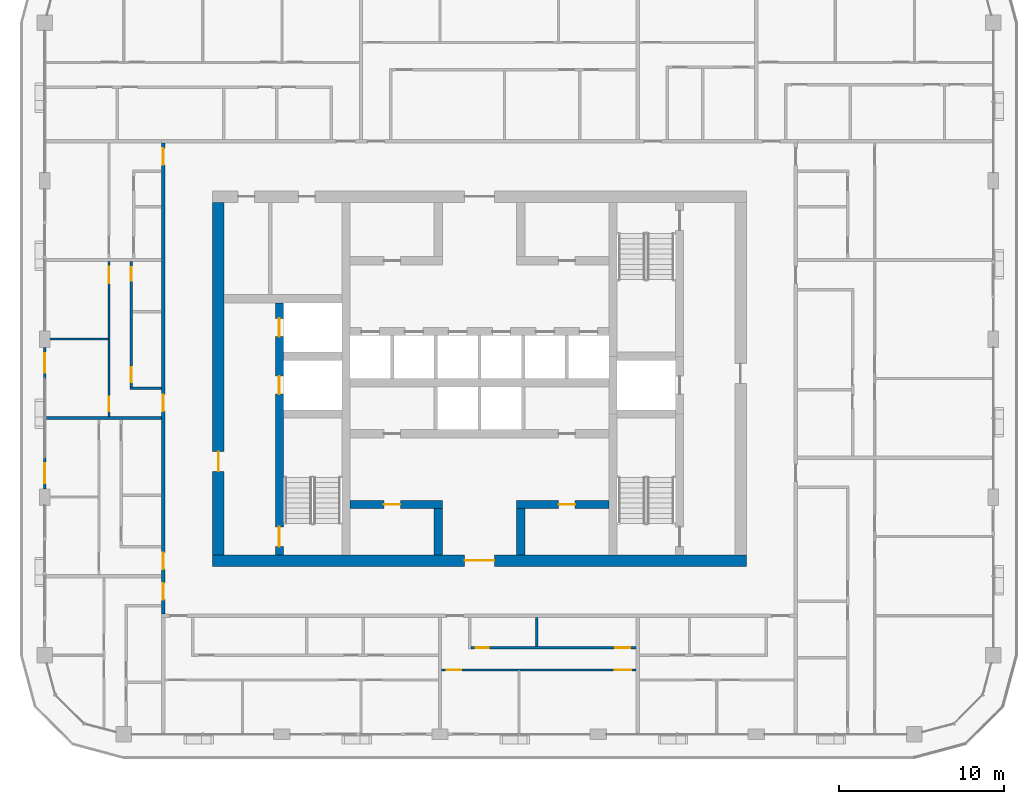
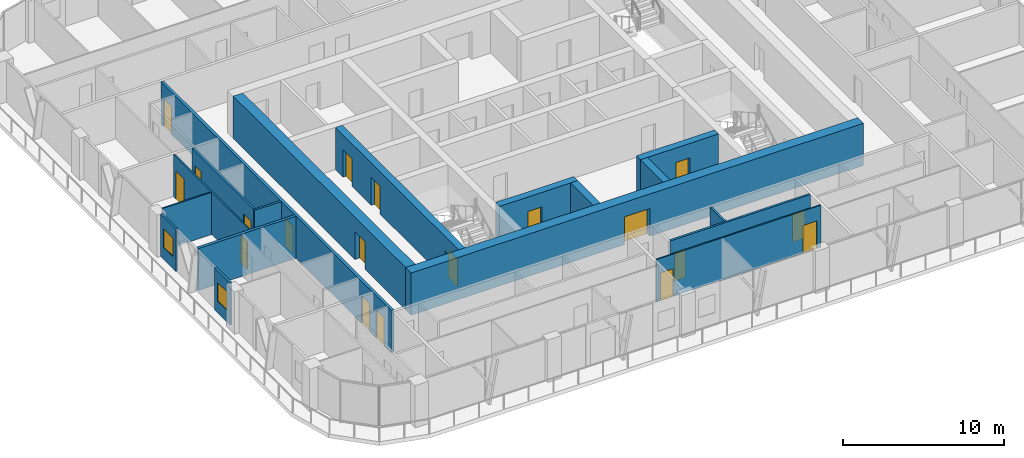
# One storey, part 10 of 22: 19 doors, 18 walls, 2 windows, 21 openings.
"""IFC4 building model written with IfcOpenShell, lengths in metres."""

from ifc_helpers import new_model, si_unit, direction, frame, frame_2d, origin, place, context, subcontext, project, spatial, rectangle, extrude, material, layer, layer_set, type_object, element, fill, save


model = new_model("IFC4")

# Units and contexts
model_context = context("Model", 3, precision=1e-05, world=origin(), true_north=direction((0.0, 1.0)))
body_context = subcontext(model_context, "Body", "Model", "MODEL_VIEW")
ifc_project = project(units=[si_unit("LENGTHUNIT", "METRE"), si_unit("AREAUNIT", "SQUARE_METRE"), si_unit("VOLUMEUNIT", "CUBIC_METRE"), si_unit("PLANEANGLEUNIT", "RADIAN"), si_unit("MASSUNIT", "GRAM", prefix="KILO")], contexts=[model_context])

# Site, building, storey
site_placement = place(None, origin())
site = spatial("IfcSite", under=ifc_project, at=site_placement, CompositionType="ELEMENT")
building_placement = place(site_placement, origin())
building = spatial("IfcBuilding", under=site, at=building_placement, Name="Madar Terraces", CompositionType="ELEMENT")
storey_placement = place(building_placement, frame((0.0, 0.0, 208.800048828125)))
storey = spatial("IfcBuildingStorey", under=building, at=storey_placement, Name="L54", CompositionType="ELEMENT", Elevation=208.800048828125)

# Wall, openings, doors
ifc_material_1 = material(Name="Concrete C60/75", Category="concrete")
ifc_layer_1 = layer(ifc_material_1, 0.5)
ifc_layer_set_1 = layer_set([ifc_layer_1], Name="Concrete C60/75 (CIW4 RC wall 500)")
wall_type_1 = type_object("IfcWallType", Name="CIW4 RC wall 500", PredefinedType="SHEAR", material=ifc_layer_set_1)
wall_1_placement = place(storey_placement, frame((19.050048828125, 15.699951171875, 0.0), z_axis=(0.0, 0.0, 1.0), x_axis=(0.0, 1.0, 0.0)))
wall_1 = element("IfcWall", 1, at=wall_1_placement, inside=storey, type_object=wall_type_1, Name="CORE SHAFT WALL", PredefinedType="SHEAR", context=body_context, shape_type="SweptSolid", body=[
    extrude(rectangle(XDim=15.300048828125, YDim=0.5, at=frame_2d((7.64990234375, 0.0))), origin(), (0.0, 0.0, 1.0), 3.199951171875),
])
opening_1_placement = place(wall_1_placement, frame((9.75, 0.0, 0.0)))
opening_1 = element("IfcOpeningElement", 2, at=opening_1_placement, cuts=wall_1, Name="Opening LD", PredefinedType="OPENING", context=body_context, shape_type="SweptSolid", body=[
    extrude(rectangle(XDim=1.10009765625, YDim=2.10009765625, at=frame_2d((0.550048828125, 1.050048828125))), frame((0.0, 0.260009765625, 0.0), z_axis=(0.0, -1.0, 0.0), x_axis=(1.0, 0.0, 0.0)), (0.0, 0.0, 1.0), 0.52001953125),
])
opening_2_placement = place(wall_1_placement, frame((13.25, 0.0, 0.0)))
opening_2 = element("IfcOpeningElement", 3, at=opening_2_placement, cuts=wall_1, Name="Opening LD", PredefinedType="OPENING", context=body_context, shape_type="SweptSolid", body=[
    extrude(rectangle(XDim=1.10009765625, YDim=2.10009765625, at=frame_2d((0.550048828125, 1.050048828125))), frame((0.0, 0.260009765625, 0.0), z_axis=(0.0, -1.0, 0.0), x_axis=(1.0, 0.0, 0.0)), (0.0, 0.0, 1.0), 0.52001953125),
])
opening_3_placement = place(wall_1_placement, frame((0.5, 0.0, 0.0)))
opening_3 = element("IfcOpeningElement", 4, at=opening_3_placement, cuts=wall_1, Name="Opening SD1", PredefinedType="OPENING", context=body_context, shape_type="SweptSolid", body=[
    extrude(rectangle(XDim=1.199951171875, YDim=2.10009765625, at=frame_2d((0.60009765625, 1.050048828125))), frame((0.0, 0.260009765625, 0.0), z_axis=(0.0, -1.0, 0.0), x_axis=(1.0, 0.0, 0.0)), (0.0, 0.0, 1.0), 0.52001953125),
])
ifc_material_2 = material(Name="Stainless steel panel", Category="steel")
door_type_1 = type_object("IfcDoorType", Name="Lift landing door 1100 x 2100", OperationType="DOUBLE_DOOR_SLIDING", PredefinedType="DOOR", material=ifc_material_2)
door_1_placement = place(opening_1_placement, origin())
door_1 = element("IfcDoor", 5, at=door_1_placement, inside=storey, type_object=door_type_1, Name="LIFT LANDING DOOR", OperationType="DOUBLE_DOOR_SLIDING", OverallHeight=2.10009765625, OverallWidth=1.10009765625, PredefinedType="DOOR", context=body_context, shape_type="SweptSolid", body=[
    extrude(rectangle(XDim=1.10009765625, YDim=2.10009765625, at=frame_2d((0.550048828125, 1.050048828125))), frame((0.0, 0.02490234375, 0.0), z_axis=(0.0, -1.0, 0.0), x_axis=(1.0, 0.0, 0.0)), (0.0, 0.0, 1.0), 0.050048828125),
])
fill(opening_1, door_1)
door_2_placement = place(opening_2_placement, origin())
door_2 = element("IfcDoor", 6, at=door_2_placement, inside=storey, type_object=door_type_1, Name="LIFT LANDING DOOR", OperationType="DOUBLE_DOOR_SLIDING", OverallHeight=2.10009765625, OverallWidth=1.10009765625, PredefinedType="DOOR", context=body_context, shape_type="SweptSolid", body=[
    extrude(rectangle(XDim=1.10009765625, YDim=2.10009765625, at=frame_2d((0.550048828125, 1.050048828125))), frame((0.0, 0.02490234375, 0.0), z_axis=(0.0, -1.0, 0.0), x_axis=(1.0, 0.0, 0.0)), (0.0, 0.0, 1.0), 0.050048828125),
])
fill(opening_2, door_2)
ifc_material_3 = material(Name="Steel door leaf", Category="steel")
door_type_2 = type_object("IfcDoorType", Name="Stair door 1200 x 2100", OperationType="NOTDEFINED", PredefinedType="DOOR", material=ifc_material_3)
door_3_placement = place(opening_3_placement, frame((1.199951171875, 0.0, 0.0), z_axis=(0.0, 0.0, 1.0), x_axis=(-1.0, 0.0, 0.0)))
door_3 = element("IfcDoor", 7, at=door_3_placement, inside=storey, type_object=door_type_2, Name="STAIR DOOR", OperationType="SINGLE_SWING_RIGHT", OverallHeight=2.10009765625, OverallWidth=1.199951171875, PredefinedType="DOOR", context=body_context, shape_type="SweptSolid", body=[
    extrude(rectangle(XDim=1.199951171875, YDim=2.10009765625, at=frame_2d((0.60009765625, 1.050048828125))), frame((0.0, 0.02490234375, 0.0), z_axis=(0.0, -1.0, 0.0), x_axis=(1.0, 0.0, 0.0)), (0.0, 0.0, 1.0), 0.050048828125),
])
fill(opening_3, door_3)

# Wall, opening, door
wall_2_placement = place(storey_placement, frame((23.35009765625, 18.75, 0.0), z_axis=(0.0, 0.0, 1.0), x_axis=(1.0, 0.0, 0.0)))
wall_2 = element("IfcWall", 8, at=wall_2_placement, inside=storey, type_object=wall_type_1, Name="CORE SHAFT WALL", PredefinedType="SHEAR", context=body_context, shape_type="SweptSolid", body=[
    extrude(rectangle(XDim=5.599853515625, YDim=0.5, at=frame_2d((2.7998046875, 0.0))), origin(), (0.0, 0.0, 1.0), 3.199951171875),
])
opening_4_placement = place(wall_2_placement, frame((2.050048828125, 0.0, 0.0)))
opening_4 = element("IfcOpeningElement", 9, at=opening_4_placement, cuts=wall_2, Name="Opening KD2", PredefinedType="OPENING", context=body_context, shape_type="SweptSolid", body=[
    extrude(rectangle(XDim=1.0, YDim=2.10009765625, at=frame_2d((0.5, 1.050048828125))), frame((0.0, 0.260009765625, 0.0), z_axis=(0.0, -1.0, 0.0), x_axis=(1.0, 0.0, 0.0)), (0.0, 0.0, 1.0), 0.52001953125),
])
ifc_material_4 = material(Name="Steel door leaf", Category="steel")
door_type_3 = type_object("IfcDoorType", Name="Service room door 1000 x 2100", OperationType="NOTDEFINED", PredefinedType="DOOR", material=ifc_material_4)
door_4_placement = place(opening_4_placement, origin())
door_4 = element("IfcDoor", 10, at=door_4_placement, inside=storey, type_object=door_type_3, Name="SERVICE ROOM DOOR", OperationType="SINGLE_SWING_LEFT", OverallHeight=2.10009765625, OverallWidth=1.0, PredefinedType="DOOR", context=body_context, shape_type="SweptSolid", body=[
    extrude(rectangle(XDim=1.0, YDim=2.10009765625, at=frame_2d((0.5, 1.050048828125))), frame((0.0, 0.02490234375, 0.0), z_axis=(0.0, -1.0, 0.0), x_axis=(1.0, 0.0, 0.0)), (0.0, 0.0, 1.0), 0.050048828125),
])
fill(opening_4, door_4)

wall_3_placement = place(storey_placement, frame((33.449951171875, 18.75, 0.0), z_axis=(0.0, 0.0, 1.0), x_axis=(1.0, 0.0, 0.0)))
wall_3 = element("IfcWall", 11, at=wall_3_placement, inside=storey, type_object=wall_type_1, Name="CORE SHAFT WALL", PredefinedType="SHEAR", context=body_context, shape_type="SweptSolid", body=[
    extrude(rectangle(XDim=5.60009765625, YDim=0.5, at=frame_2d((2.800048828125, 0.0))), origin(), (0.0, 0.0, 1.0), 3.199951171875),
])
opening_5_placement = place(wall_3_placement, frame((2.550048828125, 0.0, 0.0)))
opening_5 = element("IfcOpeningElement", 12, at=opening_5_placement, cuts=wall_3, Name="Opening KD2", PredefinedType="OPENING", context=body_context, shape_type="SweptSolid", body=[
    extrude(rectangle(XDim=1.0, YDim=2.10009765625, at=frame_2d((0.5, 1.050048828125))), frame((0.0, 0.260009765625, 0.0), z_axis=(0.0, -1.0, 0.0), x_axis=(1.0, 0.0, 0.0)), (0.0, 0.0, 1.0), 0.52001953125),
])
door_5_placement = place(opening_5_placement, origin())
door_5 = element("IfcDoor", 13, at=door_5_placement, inside=storey, type_object=door_type_3, Name="SERVICE ROOM DOOR", OperationType="SINGLE_SWING_RIGHT", OverallHeight=2.10009765625, OverallWidth=1.0, PredefinedType="DOOR", context=body_context, shape_type="SweptSolid", body=[
    extrude(rectangle(XDim=1.0, YDim=2.10009765625, at=frame_2d((0.5, 1.050048828125))), frame((0.0, 0.02490234375, 0.0), z_axis=(0.0, -1.0, 0.0), x_axis=(1.0, 0.0, 0.0)), (0.0, 0.0, 1.0), 0.050048828125),
])
fill(opening_5, door_5)

# Walls
for number, where, z_axis, x_axis, name in (
    (14, (28.699951171875, 15.699951171875, 0.0), (0.0, 0.0, 1.0), (0.0, 1.0, 0.0), "CORE SHAFT WALL"),
    (15, (33.699951171875, 15.699951171875, 0.0), (0.0, 0.0, 1.0), (0.0, 1.0, 0.0), "CORE SHAFT WALL"),
):
    element("IfcWall", number, at=place(storey_placement, frame(where, z_axis=z_axis, x_axis=x_axis)), inside=storey, type_object=wall_type_1, Name=name, PredefinedType="SHEAR", context=body_context, shape_type="SweptSolid", body=[
        extrude(rectangle(XDim=2.800048828125, YDim=0.5, at=frame_2d((1.39990234375, 0.0))), origin(), (0.0, 0.0, 1.0), 3.199951171875),
    ])

# Wall, opening, door
ifc_material_5 = material(Name="Concrete C60/75", Category="concrete")
ifc_layer_2 = layer(ifc_material_5, 0.699951171875)
ifc_layer_set_2 = layer_set([ifc_layer_2], Name="Concrete C60/75 (CRW4 RC wall 700)")
wall_type_2 = type_object("IfcWallType", Name="CRW4 RC wall 700", PredefinedType="SHEAR", material=ifc_layer_set_2)
wall_4_placement = place(storey_placement, frame((15.0, 15.35009765625, 0.0), z_axis=(0.0, 0.0, 1.0), x_axis=(1.0, 0.0, 0.0)))
wall_4 = element("IfcWall", 16, at=wall_4_placement, inside=storey, type_object=wall_type_2, Name="CORE OUTER WALL", PredefinedType="SHEAR", context=body_context, shape_type="SweptSolid", body=[
    extrude(rectangle(XDim=32.39990234375, YDim=0.699951171875, at=frame_2d((16.199951171875, 0.0))), origin(), (0.0, 0.0, 1.0), 3.199951171875),
])
opening_6_placement = place(wall_4_placement, frame((15.300048828125, 0.0, 0.0)))
opening_6 = element("IfcOpeningElement", 17, at=opening_6_placement, cuts=wall_4, Name="Opening KD1", PredefinedType="OPENING", context=body_context, shape_type="SweptSolid", body=[
    extrude(rectangle(XDim=1.800048828125, YDim=2.10009765625, at=frame_2d((0.89990234375, 1.050048828125))), frame((0.0, 0.35986328125, 0.0), z_axis=(0.0, -1.0, 0.0), x_axis=(1.0, 0.0, 0.0)), (0.0, 0.0, 1.0), 0.719970703125),
])
ifc_material_6 = material(Name="Steel door leaf", Category="steel")
door_type_4 = type_object("IfcDoorType", Name="Lobby door pair 1800 x 2100", OperationType="DOUBLE_DOOR_SINGLE_SWING", PredefinedType="DOOR", material=ifc_material_6)
door_6_placement = place(opening_6_placement, frame((1.800048828125, 0.0, 0.0), z_axis=(0.0, 0.0, 1.0), x_axis=(-1.0, 0.0, 0.0)))
door_6 = element("IfcDoor", 18, at=door_6_placement, inside=storey, type_object=door_type_4, Name="LIFT LOBBY DOOR", OperationType="DOUBLE_DOOR_SINGLE_SWING", OverallHeight=2.10009765625, OverallWidth=1.800048828125, PredefinedType="DOOR", context=body_context, shape_type="SweptSolid", body=[
    extrude(rectangle(XDim=1.800048828125, YDim=2.10009765625, at=frame_2d((0.89990234375, 1.050048828125))), frame((0.0, 0.02490234375, 0.0), z_axis=(0.0, -1.0, 0.0), x_axis=(1.0, 0.0, 0.0)), (0.0, 0.0, 1.0), 0.050048828125),
])
fill(opening_6, door_6)

wall_5_placement = place(storey_placement, frame((15.35009765625, 15.699951171875, 0.0), z_axis=(0.0, 0.0, 1.0), x_axis=(0.0, 1.0, 0.0)))
wall_5 = element("IfcWall", 19, at=wall_5_placement, inside=storey, type_object=wall_type_2, Name="CORE OUTER WALL", PredefinedType="SHEAR", context=body_context, shape_type="SweptSolid", body=[
    extrude(rectangle(XDim=21.400146484375, YDim=0.699951171875, at=frame_2d((10.7001953125, 0.0))), origin(), (0.0, 0.0, 1.0), 3.199951171875),
])
opening_7_placement = place(wall_5_placement, frame((5.06005859375, 0.0, 0.0)))
opening_7 = element("IfcOpeningElement", 20, at=opening_7_placement, cuts=wall_5, Name="Opening SD1", PredefinedType="OPENING", context=body_context, shape_type="SweptSolid", body=[
    extrude(rectangle(XDim=1.199951171875, YDim=2.10009765625, at=frame_2d((0.60009765625, 1.050048828125))), frame((0.0, 0.35986328125, 0.0), z_axis=(0.0, -1.0, 0.0), x_axis=(1.0, 0.0, 0.0)), (0.0, 0.0, 1.0), 0.719970703125),
])
door_7_placement = place(opening_7_placement, frame((1.199951171875, 0.0, 0.0), z_axis=(0.0, 0.0, 1.0), x_axis=(-1.0, 0.0, 0.0)))
door_7 = element("IfcDoor", 21, at=door_7_placement, inside=storey, type_object=door_type_2, Name="STAIR DOOR", OperationType="SINGLE_SWING_LEFT", OverallHeight=2.10009765625, OverallWidth=1.199951171875, PredefinedType="DOOR", context=body_context, shape_type="SweptSolid", body=[
    extrude(rectangle(XDim=1.199951171875, YDim=2.10009765625, at=frame_2d((0.60009765625, 1.050048828125))), frame((0.0, 0.02490234375, 0.0), z_axis=(0.0, -1.0, 0.0), x_axis=(1.0, 0.0, 0.0)), (0.0, 0.0, 1.0), 0.050048828125),
])
fill(opening_7, door_7)

# Wall, opening, window
ifc_material_7 = material(Name="Aluminium composite panel, black, over insulated backing", Category="aluminium")
ifc_layer_3 = layer(ifc_material_7, 0.14990234375)
ifc_layer_set_3 = layer_set([ifc_layer_3], Name="Facade bay panel 150")
wall_type_3 = type_object("IfcWallType", Name="Facade bay panel 150", PredefinedType="SOLIDWALL", material=ifc_layer_set_3)
wall_6_placement = place(storey_placement, frame((4.800048828125, 28.300048828125, 0.0), z_axis=(0.0, 0.0, 1.0), x_axis=(0.0, -1.0, 0.0)))
wall_6 = element("IfcWall", 22, at=wall_6_placement, inside=storey, type_object=wall_type_3, Name="Facade bay panel", PredefinedType="SOLIDWALL", context=body_context, shape_type="SweptSolid", body=[
    extrude(rectangle(XDim=1.900146484375, YDim=0.14990234375, at=frame_2d((0.9501953125, 0.0))), origin(), (0.0, 0.0, 1.0), 3.199951171875),
])
opening_8_placement = place(wall_6_placement, frame((0.35009765625, 0.0, 0.89990234375)))
opening_8 = element("IfcOpeningElement", 23, at=opening_8_placement, cuts=wall_6, Name="Opening W1", PredefinedType="OPENING", context=body_context, shape_type="SweptSolid", body=[
    extrude(rectangle(XDim=1.199951171875, YDim=1.39990234375, at=frame_2d((0.60009765625, 0.699951171875))), frame((0.0, 0.0849609375, 0.0), z_axis=(0.0, -1.0, 0.0), x_axis=(1.0, 0.0, 0.0)), (0.0, 0.0, 1.0), 0.169921875),
])
ifc_material_8 = material(Name="Glass, clear, with black aluminium frame", Category="aluminium")
window_type = type_object("IfcWindowType", Name="Vent window 1200 x 1400", PartitioningType="SINGLE_PANEL", PredefinedType="WINDOW", material=ifc_material_8)
window_1_placement = place(opening_8_placement, origin())
window_1 = element("IfcWindow", 24, at=window_1_placement, inside=storey, type_object=window_type, Name="Operable vent window", OverallHeight=1.39990234375, OverallWidth=1.199951171875, PartitioningType="SINGLE_PANEL", PredefinedType="WINDOW", context=body_context, shape_type="SweptSolid", body=[
    extrude(rectangle(XDim=1.199951171875, YDim=1.39990234375, at=frame_2d((0.60009765625, 0.699951171875))), frame((0.0, 0.030029296875, 0.0), z_axis=(0.0, -1.0, 0.0), x_axis=(1.0, 0.0, 0.0)), (0.0, 0.0, 1.0), 0.06005859375),
])
fill(opening_8, window_1)

wall_7_placement = place(storey_placement, frame((4.800048828125, 21.60009765625, 0.0), z_axis=(0.0, 0.0, 1.0), x_axis=(0.0, -1.0, 0.0)))
wall_7 = element("IfcWall", 25, at=wall_7_placement, inside=storey, type_object=wall_type_3, Name="Facade bay panel", PredefinedType="SOLIDWALL", context=body_context, shape_type="SweptSolid", body=[
    extrude(rectangle(XDim=1.900146484375, YDim=0.14990234375, at=frame_2d((0.9501953125, 0.0))), origin(), (0.0, 0.0, 1.0), 3.199951171875),
])
opening_9_placement = place(wall_7_placement, frame((0.35009765625, 0.0, 0.89990234375)))
opening_9 = element("IfcOpeningElement", 26, at=opening_9_placement, cuts=wall_7, Name="Opening W1", PredefinedType="OPENING", context=body_context, shape_type="SweptSolid", body=[
    extrude(rectangle(XDim=1.199951171875, YDim=1.39990234375, at=frame_2d((0.60009765625, 0.699951171875))), frame((0.0, 0.0849609375, 0.0), z_axis=(0.0, -1.0, 0.0), x_axis=(1.0, 0.0, 0.0)), (0.0, 0.0, 1.0), 0.169921875),
])
window_2_placement = place(opening_9_placement, origin())
window_2 = element("IfcWindow", 27, at=window_2_placement, inside=storey, type_object=window_type, Name="Operable vent window", OverallHeight=1.39990234375, OverallWidth=1.199951171875, PartitioningType="SINGLE_PANEL", PredefinedType="WINDOW", context=body_context, shape_type="SweptSolid", body=[
    extrude(rectangle(XDim=1.199951171875, YDim=1.39990234375, at=frame_2d((0.60009765625, 0.699951171875))), frame((0.0, 0.030029296875, 0.0), z_axis=(0.0, -1.0, 0.0), x_axis=(1.0, 0.0, 0.0)), (0.0, 0.0, 1.0), 0.06005859375),
])
fill(opening_9, window_2)

# Wall, openings, doors
ifc_material_9 = material(Name="Gypsum board on steel studs", Category="steel")
ifc_layer_4 = layer(ifc_material_9, 0.10009765625)
ifc_layer_set_4 = layer_set([ifc_layer_4], Name="Flat partition 100")
wall_type_4 = type_object("IfcWallType", Name="Flat partition 100", PredefinedType="PARTITIONING", material=ifc_layer_set_4)
wall_8_placement = place(storey_placement, frame((40.699951171875, 8.699951171875, 0.0), z_axis=(0.0, 0.0, 1.0), x_axis=(-1.0, 0.0, 0.0)))
wall_8 = element("IfcWall", 28, at=wall_8_placement, inside=storey, type_object=wall_type_4, Name="Flat partition 100", PredefinedType="PARTITIONING", context=body_context, shape_type="SweptSolid", body=[
    extrude(rectangle(XDim=11.800048828125, YDim=0.10009765625, at=frame_2d((5.89990234375, 0.0))), origin(), (0.0, 0.0, 1.0), 3.199951171875),
])
opening_10_placement = place(wall_8_placement, frame((10.60009765625, 0.0, 0.0)))
opening_10 = element("IfcOpeningElement", 29, at=opening_10_placement, cuts=wall_8, Name="Opening D2", PredefinedType="OPENING", context=body_context, shape_type="SweptSolid", body=[
    extrude(rectangle(XDim=0.89990234375, YDim=2.10009765625, at=frame_2d((0.449951171875, 1.050048828125))), frame((0.0, 0.06005859375, 0.0), z_axis=(0.0, -1.0, 0.0), x_axis=(1.0, 0.0, 0.0)), (0.0, 0.0, 1.0), 0.1201171875),
])
opening_11_placement = place(wall_8_placement, frame((0.300048828125, 0.0, 0.0)))
opening_11 = element("IfcOpeningElement", 30, at=opening_11_placement, cuts=wall_8, Name="Opening D3", PredefinedType="OPENING", context=body_context, shape_type="SweptSolid", body=[
    extrude(rectangle(XDim=1.0, YDim=2.10009765625, at=frame_2d((0.5, 1.050048828125))), frame((0.0, 0.06005859375, 0.0), z_axis=(0.0, -1.0, 0.0), x_axis=(1.0, 0.0, 0.0)), (0.0, 0.0, 1.0), 0.1201171875),
])
ifc_material_10 = material(Name="Timber door leaf", Category="wood")
door_type_5 = type_object("IfcDoorType", Name="Flat living room door 1000", OperationType="NOTDEFINED", PredefinedType="DOOR", material=ifc_material_10)
door_8_placement = place(opening_11_placement, origin())
door_8 = element("IfcDoor", 31, at=door_8_placement, inside=storey, type_object=door_type_5, Name="Flat living room door 1000", OperationType="SINGLE_SWING_LEFT", OverallHeight=2.10009765625, OverallWidth=1.0, PredefinedType="DOOR", context=body_context, shape_type="SweptSolid", body=[
    extrude(rectangle(XDim=1.0, YDim=2.10009765625, at=frame_2d((0.5, 1.050048828125))), frame((0.0, 0.02490234375, 0.0), z_axis=(0.0, -1.0, 0.0), x_axis=(1.0, 0.0, 0.0)), (0.0, 0.0, 1.0), 0.050048828125),
])
fill(opening_11, door_8)
ifc_material_11 = material(Name="Timber door leaf", Category="wood")
door_type_6 = type_object("IfcDoorType", Name="Flat room door 900", OperationType="NOTDEFINED", PredefinedType="DOOR", material=ifc_material_11)
door_9_placement = place(opening_10_placement, origin())
door_9 = element("IfcDoor", 32, at=door_9_placement, inside=storey, type_object=door_type_6, Name="Flat room door 900", OperationType="SINGLE_SWING_RIGHT", OverallHeight=2.10009765625, OverallWidth=0.89990234375, PredefinedType="DOOR", context=body_context, shape_type="SweptSolid", body=[
    extrude(rectangle(XDim=0.89990234375, YDim=2.10009765625, at=frame_2d((0.449951171875, 1.050048828125))), frame((0.0, 0.02490234375, 0.0), z_axis=(0.0, -1.0, 0.0), x_axis=(1.0, 0.0, 0.0)), (0.0, 0.0, 1.0), 0.050048828125),
])
fill(opening_10, door_9)

# Wall
wall_9_placement = place(storey_placement, frame((8.64990234375, 28.800048828125, 0.0), z_axis=(0.0, 0.0, 1.0), x_axis=(-1.0, 0.0, 0.0)))
element("IfcWall", 33, at=wall_9_placement, inside=storey, type_object=wall_type_4, Name="Flat partition 100", PredefinedType="PARTITIONING", context=body_context, shape_type="SweptSolid", body=[
    extrude(rectangle(XDim=3.52490234375, YDim=0.10009765625, at=frame_2d((1.762451171875, 0.0))), origin(), (0.0, 0.0, 1.0), 3.199951171875),
])

# Wall, openings, doors
wall_10_placement = place(storey_placement, frame((8.699951171875, 24.10009765625, 0.0), z_axis=(0.0, 0.0, 1.0), x_axis=(0.0, 1.0, 0.0)))
wall_10 = element("IfcWall", 34, at=wall_10_placement, inside=storey, type_object=wall_type_4, Name="Flat partition 100", PredefinedType="PARTITIONING", context=body_context, shape_type="SweptSolid", body=[
    extrude(rectangle(XDim=9.39990234375, YDim=0.10009765625, at=frame_2d((4.699951171875, 0.0))), origin(), (0.0, 0.0, 1.0), 3.199951171875),
])
opening_12_placement = place(wall_10_placement, frame((0.300048828125, 0.0, 0.0)))
opening_12 = element("IfcOpeningElement", 35, at=opening_12_placement, cuts=wall_10, Name="Opening D2", PredefinedType="OPENING", context=body_context, shape_type="SweptSolid", body=[
    extrude(rectangle(XDim=0.89990234375, YDim=2.10009765625, at=frame_2d((0.449951171875, 1.050048828125))), frame((0.0, 0.06005859375, 0.0), z_axis=(0.0, -1.0, 0.0), x_axis=(1.0, 0.0, 0.0)), (0.0, 0.0, 1.0), 0.1201171875),
])
opening_13_placement = place(wall_10_placement, frame((8.10009765625, 0.0, 0.0)))
opening_13 = element("IfcOpeningElement", 36, at=opening_13_placement, cuts=wall_10, Name="Opening D3", PredefinedType="OPENING", context=body_context, shape_type="SweptSolid", body=[
    extrude(rectangle(XDim=1.0, YDim=2.10009765625, at=frame_2d((0.5, 1.050048828125))), frame((0.0, 0.06005859375, 0.0), z_axis=(0.0, -1.0, 0.0), x_axis=(1.0, 0.0, 0.0)), (0.0, 0.0, 1.0), 0.1201171875),
])
door_10_placement = place(opening_13_placement, origin())
door_10 = element("IfcDoor", 37, at=door_10_placement, inside=storey, type_object=door_type_5, Name="Flat living room door 1000", OperationType="SINGLE_SWING_RIGHT", OverallHeight=2.10009765625, OverallWidth=1.0, PredefinedType="DOOR", context=body_context, shape_type="SweptSolid", body=[
    extrude(rectangle(XDim=1.0, YDim=2.10009765625, at=frame_2d((0.5, 1.050048828125))), frame((0.0, 0.02490234375, 0.0), z_axis=(0.0, -1.0, 0.0), x_axis=(1.0, 0.0, 0.0)), (0.0, 0.0, 1.0), 0.050048828125),
])
fill(opening_13, door_10)
door_11_placement = place(opening_12_placement, origin())
door_11 = element("IfcDoor", 38, at=door_11_placement, inside=storey, type_object=door_type_6, Name="Flat room door 900", OperationType="SINGLE_SWING_LEFT", OverallHeight=2.10009765625, OverallWidth=0.89990234375, PredefinedType="DOOR", context=body_context, shape_type="SweptSolid", body=[
    extrude(rectangle(XDim=0.89990234375, YDim=2.10009765625, at=frame_2d((0.449951171875, 1.050048828125))), frame((0.0, 0.02490234375, 0.0), z_axis=(0.0, -1.0, 0.0), x_axis=(1.0, 0.0, 0.0)), (0.0, 0.0, 1.0), 0.050048828125),
])
fill(opening_12, door_11)

ifc_material_12 = material(Name="Lightweight blockwork", Category="masonry")
ifc_layer_5 = layer(ifc_material_12, 0.199951171875)
ifc_layer_set_5 = layer_set([ifc_layer_5], Name="Flat party and entrance wall 200")
wall_type_5 = type_object("IfcWallType", Name="Flat party and entrance wall 200", PredefinedType="PARTITIONING", material=ifc_layer_set_5)
wall_11_placement = place(storey_placement, frame((12.0, 12.10009765625, 0.0), z_axis=(0.0, 0.0, 1.0), x_axis=(0.0, 1.0, 0.0)))
wall_11 = element("IfcWall", 39, at=wall_11_placement, inside=storey, type_object=wall_type_5, Name="Flat party and entrance wall 200", PredefinedType="PARTITIONING", context=body_context, shape_type="SweptSolid", body=[
    extrude(rectangle(XDim=28.599853515625, YDim=0.199951171875, at=frame_2d((14.2998046875, 0.0))), origin(), (0.0, 0.0, 1.0), 3.199951171875),
])
opening_14_placement = place(wall_11_placement, frame((27.27490234375, 0.0, 0.0)))
opening_14 = element("IfcOpeningElement", 40, at=opening_14_placement, cuts=wall_11, Name="Opening D1", PredefinedType="OPENING", context=body_context, shape_type="SweptSolid", body=[
    extrude(rectangle(XDim=1.0, YDim=2.10009765625, at=frame_2d((0.5, 1.050048828125))), frame((0.0, 0.10986328125, 0.0), z_axis=(0.0, -1.0, 0.0), x_axis=(1.0, 0.0, 0.0)), (0.0, 0.0, 1.0), 0.219970703125),
])
opening_15_placement = place(wall_11_placement, frame((12.324951171875, 0.0, 0.0)))
opening_15 = element("IfcOpeningElement", 41, at=opening_15_placement, cuts=wall_11, Name="Opening D1", PredefinedType="OPENING", context=body_context, shape_type="SweptSolid", body=[
    extrude(rectangle(XDim=1.0, YDim=2.10009765625, at=frame_2d((0.5, 1.050048828125))), frame((0.0, 0.10986328125, 0.0), z_axis=(0.0, -1.0, 0.0), x_axis=(1.0, 0.0, 0.0)), (0.0, 0.0, 1.0), 0.219970703125),
])
opening_16_placement = place(wall_11_placement, frame((2.72509765625, 0.0, 0.0)))
opening_16 = element("IfcOpeningElement", 42, at=opening_16_placement, cuts=wall_11, Name="Opening D1", PredefinedType="OPENING", context=body_context, shape_type="SweptSolid", body=[
    extrude(rectangle(XDim=1.0, YDim=2.10009765625, at=frame_2d((0.5, 1.050048828125))), frame((0.0, 0.10986328125, 0.0), z_axis=(0.0, -1.0, 0.0), x_axis=(1.0, 0.0, 0.0)), (0.0, 0.0, 1.0), 0.219970703125),
])
opening_17_placement = place(wall_11_placement, frame((0.875, 0.0, 0.0)))
opening_17 = element("IfcOpeningElement", 43, at=opening_17_placement, cuts=wall_11, Name="Opening D1", PredefinedType="OPENING", context=body_context, shape_type="SweptSolid", body=[
    extrude(rectangle(XDim=1.0, YDim=2.10009765625, at=frame_2d((0.5, 1.050048828125))), frame((0.0, 0.10986328125, 0.0), z_axis=(0.0, -1.0, 0.0), x_axis=(1.0, 0.0, 0.0)), (0.0, 0.0, 1.0), 0.219970703125),
])
ifc_material_13 = material(Name="Timber fire door leaf", Category="wood")
door_type_7 = type_object("IfcDoorType", Name="Flat entrance door 1000 FD30S", OperationType="NOTDEFINED", PredefinedType="DOOR", material=ifc_material_13)
door_12_placement = place(opening_14_placement, origin())
door_12 = element("IfcDoor", 44, at=door_12_placement, inside=storey, type_object=door_type_7, Name="Flat entrance door 1000 FD30S", OperationType="SINGLE_SWING_RIGHT", OverallHeight=2.10009765625, OverallWidth=1.0, PredefinedType="DOOR", context=body_context, shape_type="SweptSolid", body=[
    extrude(rectangle(XDim=1.0, YDim=2.10009765625, at=frame_2d((0.5, 1.050048828125))), frame((0.0, 0.02490234375, 0.0), z_axis=(0.0, -1.0, 0.0), x_axis=(1.0, 0.0, 0.0)), (0.0, 0.0, 1.0), 0.050048828125),
])
fill(opening_14, door_12)
door_13_placement = place(opening_15_placement, origin())
door_13 = element("IfcDoor", 45, at=door_13_placement, inside=storey, type_object=door_type_7, Name="Flat entrance door 1000 FD30S", OperationType="SINGLE_SWING_LEFT", OverallHeight=2.10009765625, OverallWidth=1.0, PredefinedType="DOOR", context=body_context, shape_type="SweptSolid", body=[
    extrude(rectangle(XDim=1.0, YDim=2.10009765625, at=frame_2d((0.5, 1.050048828125))), frame((0.0, 0.02490234375, 0.0), z_axis=(0.0, -1.0, 0.0), x_axis=(1.0, 0.0, 0.0)), (0.0, 0.0, 1.0), 0.050048828125),
])
fill(opening_15, door_13)
door_14_placement = place(opening_16_placement, origin())
door_14 = element("IfcDoor", 46, at=door_14_placement, inside=storey, type_object=door_type_7, Name="Flat entrance door 1000 FD30S", OperationType="SINGLE_SWING_LEFT", OverallHeight=2.10009765625, OverallWidth=1.0, PredefinedType="DOOR", context=body_context, shape_type="SweptSolid", body=[
    extrude(rectangle(XDim=1.0, YDim=2.10009765625, at=frame_2d((0.5, 1.050048828125))), frame((0.0, 0.02490234375, 0.0), z_axis=(0.0, -1.0, 0.0), x_axis=(1.0, 0.0, 0.0)), (0.0, 0.0, 1.0), 0.050048828125),
])
fill(opening_16, door_14)
door_15_placement = place(opening_17_placement, origin())
door_15 = element("IfcDoor", 47, at=door_15_placement, inside=storey, type_object=door_type_7, Name="Flat entrance door 1000 FD30S", OperationType="SINGLE_SWING_RIGHT", OverallHeight=2.10009765625, OverallWidth=1.0, PredefinedType="DOOR", context=body_context, shape_type="SweptSolid", body=[
    extrude(rectangle(XDim=1.0, YDim=2.10009765625, at=frame_2d((0.5, 1.050048828125))), frame((0.0, 0.02490234375, 0.0), z_axis=(0.0, -1.0, 0.0), x_axis=(1.0, 0.0, 0.0)), (0.0, 0.0, 1.0), 0.050048828125),
])
fill(opening_17, door_15)

# Walls
wall_12_placement = place(storey_placement, frame((4.89990234375, 24.0, 0.0), z_axis=(0.0, 0.0, 1.0), x_axis=(1.0, 0.0, 0.0)))
element("IfcWall", 48, at=wall_12_placement, inside=storey, type_object=wall_type_5, Name="Flat party and entrance wall 200", PredefinedType="PARTITIONING", context=body_context, shape_type="SweptSolid", body=[
    extrude(rectangle(XDim=7.0, YDim=0.199951171875, at=frame_2d((3.5, 0.0))), origin(), (0.0, 0.0, 1.0), 3.199951171875),
])
ifc_material_14 = material(Name="Lightweight blockwork", Category="masonry")
ifc_layer_6 = layer(ifc_material_14, 0.14990234375)
ifc_layer_set_6 = layer_set([ifc_layer_6], Name="Flat wet-room partition 150")
wall_type_6 = type_object("IfcWallType", Name="Flat wet-room partition 150", PredefinedType="PARTITIONING", material=ifc_layer_set_6)
wall_13_placement = place(storey_placement, frame((34.68505859375, 11.89990234375, 0.0), z_axis=(0.0, 0.0, 1.0), x_axis=(0.0, -1.0, 0.0)))
element("IfcWall", 49, at=wall_13_placement, inside=storey, type_object=wall_type_6, Name="Flat wet-room partition 150", PredefinedType="PARTITIONING", context=body_context, shape_type="SweptSolid", body=[
    extrude(rectangle(XDim=1.77490234375, YDim=0.14990234375, at=frame_2d((0.887451171875, 0.0))), origin(), (0.0, 0.0, 1.0), 3.199951171875),
])

# Wall, openings, doors
wall_14_placement = place(storey_placement, frame((30.675048828125, 10.050048828125, 0.0), z_axis=(0.0, 0.0, 1.0), x_axis=(1.0, 0.0, 0.0)))
wall_14 = element("IfcWall", 50, at=wall_14_placement, inside=storey, type_object=wall_type_6, Name="Flat wet-room partition 150", PredefinedType="PARTITIONING", context=body_context, shape_type="SweptSolid", body=[
    extrude(rectangle(XDim=10.02490234375, YDim=0.14990234375, at=frame_2d((5.012451171875, 0.0))), origin(), (0.0, 0.0, 1.0), 3.199951171875),
])
opening_18_placement = place(wall_14_placement, frame((0.300048828125, 0.0, 0.0)))
opening_18 = element("IfcOpeningElement", 51, at=opening_18_placement, cuts=wall_14, Name="Opening D4", PredefinedType="OPENING", context=body_context, shape_type="SweptSolid", body=[
    extrude(rectangle(XDim=0.800048828125, YDim=2.10009765625, at=frame_2d((0.39990234375, 1.050048828125))), frame((0.0, 0.0849609375, 0.0), z_axis=(0.0, -1.0, 0.0), x_axis=(1.0, 0.0, 0.0)), (0.0, 0.0, 1.0), 0.169921875),
])
opening_19_placement = place(wall_14_placement, frame((8.77490234375, 0.0, 0.0)))
opening_19 = element("IfcOpeningElement", 52, at=opening_19_placement, cuts=wall_14, Name="Opening D2", PredefinedType="OPENING", context=body_context, shape_type="SweptSolid", body=[
    extrude(rectangle(XDim=0.89990234375, YDim=2.10009765625, at=frame_2d((0.449951171875, 1.050048828125))), frame((0.0, 0.0849609375, 0.0), z_axis=(0.0, -1.0, 0.0), x_axis=(1.0, 0.0, 0.0)), (0.0, 0.0, 1.0), 0.169921875),
])
ifc_material_15 = material(Name="Timber door leaf", Category="wood")
door_type_8 = type_object("IfcDoorType", Name="Flat bathroom door 800", OperationType="NOTDEFINED", PredefinedType="DOOR", material=ifc_material_15)
door_16_placement = place(opening_18_placement, origin())
door_16 = element("IfcDoor", 53, at=door_16_placement, inside=storey, type_object=door_type_8, Name="Flat bathroom door 800", OperationType="SINGLE_SWING_LEFT", OverallHeight=2.10009765625, OverallWidth=0.800048828125, PredefinedType="DOOR", context=body_context, shape_type="SweptSolid", body=[
    extrude(rectangle(XDim=0.800048828125, YDim=2.10009765625, at=frame_2d((0.39990234375, 1.050048828125))), frame((0.0, 0.02490234375, 0.0), z_axis=(0.0, -1.0, 0.0), x_axis=(1.0, 0.0, 0.0)), (0.0, 0.0, 1.0), 0.050048828125),
])
fill(opening_18, door_16)
door_17_placement = place(opening_19_placement, origin())
door_17 = element("IfcDoor", 54, at=door_17_placement, inside=storey, type_object=door_type_6, Name="Flat room door 900", OperationType="SINGLE_SWING_RIGHT", OverallHeight=2.10009765625, OverallWidth=0.89990234375, PredefinedType="DOOR", context=body_context, shape_type="SweptSolid", body=[
    extrude(rectangle(XDim=0.89990234375, YDim=2.10009765625, at=frame_2d((0.449951171875, 1.050048828125))), frame((0.0, 0.02490234375, 0.0), z_axis=(0.0, -1.0, 0.0), x_axis=(1.0, 0.0, 0.0)), (0.0, 0.0, 1.0), 0.050048828125),
])
fill(opening_19, door_17)

# Wall
wall_15_placement = place(storey_placement, frame((11.89990234375, 25.800048828125, 0.0), z_axis=(0.0, 0.0, 1.0), x_axis=(-1.0, 0.0, 0.0)))
element("IfcWall", 55, at=wall_15_placement, inside=storey, type_object=wall_type_6, Name="Flat wet-room partition 150", PredefinedType="PARTITIONING", context=body_context, shape_type="SweptSolid", body=[
    extrude(rectangle(XDim=1.9248046875, YDim=0.14990234375, at=frame_2d((0.96240234375, 0.0))), origin(), (0.0, 0.0, 1.0), 3.199951171875),
])

# Wall, openings, doors
wall_16_placement = place(storey_placement, frame((10.050048828125, 33.5, 0.0), z_axis=(0.0, 0.0, 1.0), x_axis=(0.0, -1.0, 0.0)))
wall_16 = element("IfcWall", 56, at=wall_16_placement, inside=storey, type_object=wall_type_6, Name="Flat wet-room partition 150", PredefinedType="PARTITIONING", context=body_context, shape_type="SweptSolid", body=[
    extrude(rectangle(XDim=7.625, YDim=0.14990234375, at=frame_2d((3.8125, 0.0))), origin(), (0.0, 0.0, 1.0), 3.199951171875),
])
opening_20_placement = place(wall_16_placement, frame((6.425048828125, 0.0, 0.0)))
opening_20 = element("IfcOpeningElement", 57, at=opening_20_placement, cuts=wall_16, Name="Opening D2", PredefinedType="OPENING", context=body_context, shape_type="SweptSolid", body=[
    extrude(rectangle(XDim=0.89990234375, YDim=2.10009765625, at=frame_2d((0.449951171875, 1.050048828125))), frame((0.0, 0.0849609375, 0.0), z_axis=(0.0, -1.0, 0.0), x_axis=(1.0, 0.0, 0.0)), (0.0, 0.0, 1.0), 0.169921875),
])
opening_21_placement = place(wall_16_placement, frame((0.35009765625, 0.0, 0.0)))
opening_21 = element("IfcOpeningElement", 58, at=opening_21_placement, cuts=wall_16, Name="Opening D4", PredefinedType="OPENING", context=body_context, shape_type="SweptSolid", body=[
    extrude(rectangle(XDim=0.800048828125, YDim=2.10009765625, at=frame_2d((0.39990234375, 1.050048828125))), frame((0.0, 0.0849609375, 0.0), z_axis=(0.0, -1.0, 0.0), x_axis=(1.0, 0.0, 0.0)), (0.0, 0.0, 1.0), 0.169921875),
])
door_18_placement = place(opening_21_placement, origin())
door_18 = element("IfcDoor", 59, at=door_18_placement, inside=storey, type_object=door_type_8, Name="Flat bathroom door 800", OperationType="SINGLE_SWING_LEFT", OverallHeight=2.10009765625, OverallWidth=0.800048828125, PredefinedType="DOOR", context=body_context, shape_type="SweptSolid", body=[
    extrude(rectangle(XDim=0.800048828125, YDim=2.10009765625, at=frame_2d((0.39990234375, 1.050048828125))), frame((0.0, 0.02490234375, 0.0), z_axis=(0.0, -1.0, 0.0), x_axis=(1.0, 0.0, 0.0)), (0.0, 0.0, 1.0), 0.050048828125),
])
fill(opening_21, door_18)
door_19_placement = place(opening_20_placement, origin())
door_19 = element("IfcDoor", 60, at=door_19_placement, inside=storey, type_object=door_type_6, Name="Flat room door 900", OperationType="SINGLE_SWING_RIGHT", OverallHeight=2.10009765625, OverallWidth=0.89990234375, PredefinedType="DOOR", context=body_context, shape_type="SweptSolid", body=[
    extrude(rectangle(XDim=0.89990234375, YDim=2.10009765625, at=frame_2d((0.449951171875, 1.050048828125))), frame((0.0, 0.02490234375, 0.0), z_axis=(0.0, -1.0, 0.0), x_axis=(1.0, 0.0, 0.0)), (0.0, 0.0, 1.0), 0.050048828125),
])
fill(opening_20, door_19)

save(model, "model.ifc")
